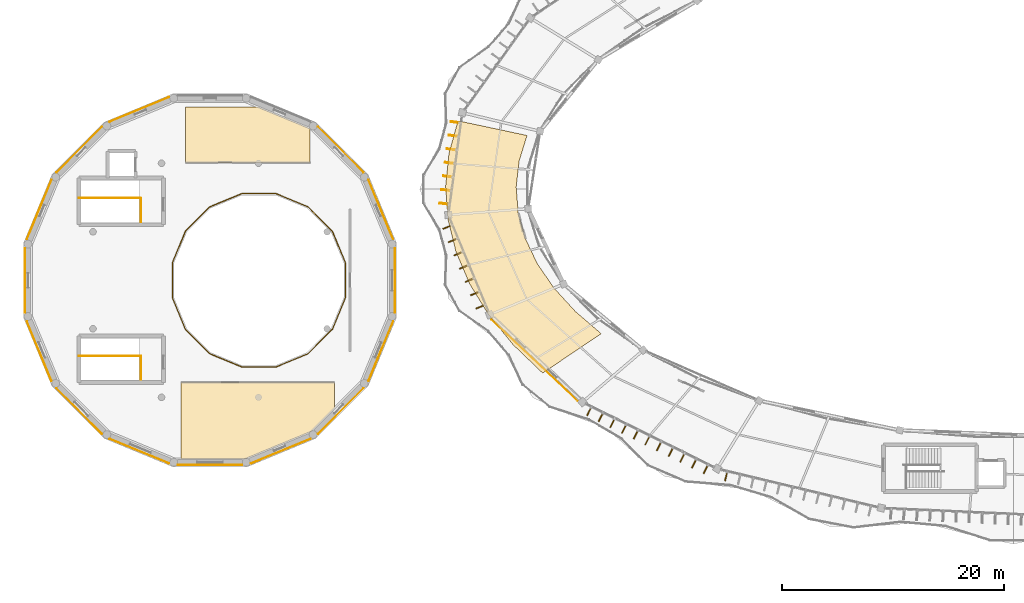
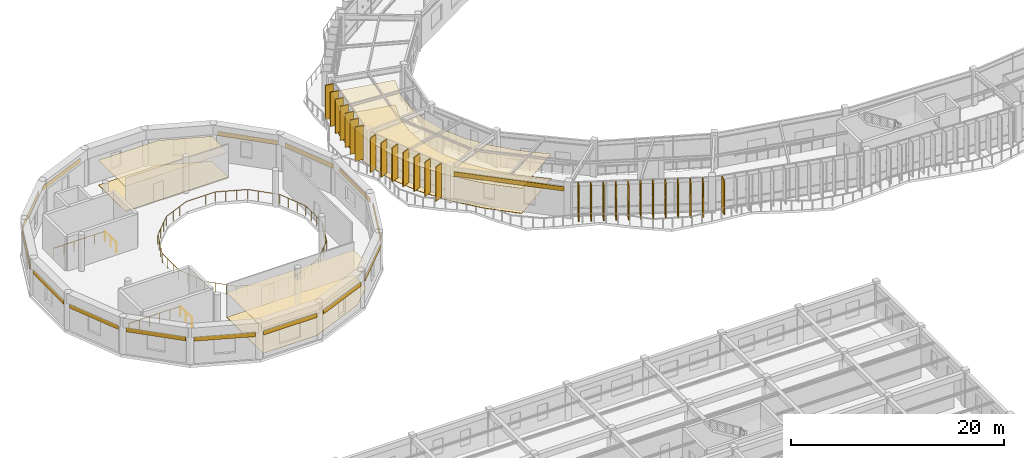
# One storey, part 108 of 114: 26 shading devices, 21 coverings, 5 railings.
"""IFC4 building model written with IfcOpenShell, lengths in metres."""

from ifc_helpers import new_model, si_unit, direction, frame, origin, origin_2d, place, context, subcontext, project, spatial, polyline, rectangle, circle, outline, extrude, material, layer, layer_set, type_object, element, save


model = new_model("IFC4")

# Units and contexts
model_context = context("Model", 3, precision=1e-05, world=origin(), true_north=direction((0.0, 1.0)))
body_context = subcontext(model_context, "Body", "Model", "MODEL_VIEW")
ifc_project = project(units=[si_unit("LENGTHUNIT", "METRE"), si_unit("AREAUNIT", "SQUARE_METRE"), si_unit("VOLUMEUNIT", "CUBIC_METRE"), si_unit("PLANEANGLEUNIT", "RADIAN"), si_unit("MASSUNIT", "GRAM", prefix="KILO"), si_unit("THERMODYNAMICTEMPERATUREUNIT", "KELVIN"), si_unit("POWERUNIT", "WATT")], contexts=[model_context])

# Site, building, storey
site_placement = place(None, origin())
site = spatial("IfcSite", under=ifc_project, at=site_placement, CompositionType="ELEMENT")
building_placement = place(site_placement, origin())
building = spatial("IfcBuilding", under=site, at=building_placement, Name="Darbajah Civic Hall", CompositionType="ELEMENT")
storey_placement = place(building_placement, frame((0.0, 0.0, 13.800048828125)))
storey = spatial("IfcBuildingStorey", under=building, at=storey_placement, Name="L03", CompositionType="ELEMENT", Elevation=13.800048828125)

# Coverings
ifc_material_1 = material(Name="Honed Qatari Limestone Terrazzo", Category="masonry")
ifc_layer_1 = layer(ifc_material_1, 0.030029296875, Name="Honed Qatari Limestone Terrazzo")
ifc_layer_set_1 = layer_set([ifc_layer_1], Name="Honed Qatari Limestone Terrazzo")
covering_type_1 = type_object("IfcCoveringType", Name="Honed Qatari Limestone Terrazzo Flooring", PredefinedType="FLOORING", material=ifc_layer_set_1)
covering_1_placement = place(storey_placement, origin())
element("IfcCovering", 1, at=covering_1_placement, inside=storey, type_object=covering_type_1, Name="L03 stone terrazzo flooring L03-V1-05", PredefinedType="FLOORING", context=body_context, shape_type="SweptSolid", body=[
    extrude(outline(polyline([(39.11669921875, 95.9541015625), (38.3037109375, 93.0224609375), (38.001953125, 90.058349609375), (38.21435546875, 87.091552734375), (38.93896484375, 84.152099609375), (40.168212890625, 81.269287109375), (41.889892578125, 78.47265625), (44.08642578125, 75.789794921875), (46.736083984375, 73.247802734375), (52.00048828125, 76.798828125), (49.68017578125, 78.79541015625), (47.75634765625, 80.902587890625), (46.248779296875, 83.099365234375), (45.172119140625, 85.36376953125), (44.53759765625, 87.672607421875), (44.351806640625, 90.0029296875), (44.615966796875, 92.331298828125), (45.327880859375, 94.6337890625), (39.11669921875, 95.9541015625)])), origin(), (0.0, 0.0, 1.0), 0.030029296875),
])
covering_2_placement = place(storey_placement, origin())
element("IfcCovering", 2, at=covering_2_placement, inside=storey, type_object=covering_type_1, Name="L03 stone terrazzo flooring L03-V2-02", PredefinedType="FLOORING", context=body_context, shape_type="SweptSolid", body=[
    extrude(outline(polyline([(14.60009765625, 97.199951171875), (21.10498046875, 97.199951171875), (25.800048828125, 95.25537109375), (25.800048828125, 92.199951171875), (14.60009765625, 92.199951171875), (14.60009765625, 97.199951171875)])), origin(), (0.0, 0.0, 1.0), 0.030029296875),
])
covering_3_placement = place(storey_placement, origin())
element("IfcCovering", 3, at=covering_3_placement, inside=storey, type_object=covering_type_1, Name="L03 stone terrazzo flooring L03-V2-03", PredefinedType="FLOORING", context=body_context, shape_type="SweptSolid", body=[
    extrude(outline(polyline([(14.199951171875, 72.39990234375), (28.0, 72.39990234375), (28.0, 70.087646484375), (25.897216796875, 67.985107421875), (19.994384765625, 65.5400390625), (14.199951171875, 65.5400390625), (14.199951171875, 72.39990234375)])), origin(), (0.0, 0.0, 1.0), 0.030029296875),
])

# Railings
ifc_material_2 = material(Name="Brushed Bronze and Laminated Safety Glass", Category="glass")
railing_type = type_object("IfcRailingType", Name="Interior Guard Balustrade", PredefinedType="BALUSTRADE", material=ifc_material_2)
railing_1_placement = place(storey_placement, frame((10.570068359375, 86.85009765625, 0.0)))
element("IfcRailing", 4, at=railing_1_placement, inside=storey, type_object=railing_type, Name="ST04 L03 stair-well edge guard", PredefinedType="BALUSTRADE", context=body_context, shape_type="SweptSolid", body=[
    extrude(circle(Radius=0.02392578125, at=origin_2d()), frame((0.0, 0.02734375, 1.09619140625), z_axis=(0.0, 1.0, 0.0), x_axis=(-1.0, 0.0, 0.0)), (0.0, 0.0, 1.0), 2.09521484375),
    extrude(circle(Radius=0.02099609375, at=origin_2d()), origin(), (0.0, 0.0, 1.0), 1.068115234375),
    extrude(circle(Radius=0.02099609375, at=origin_2d()), frame((0.0, 1.074951171875, 0.0)), (0.0, 0.0, 1.0), 1.068115234375),
    extrude(circle(Radius=0.02099609375, at=origin_2d()), frame((0.0, 2.14990234375, 0.0)), (0.0, 0.0, 1.0), 1.068115234375),
])
railing_2_placement = place(storey_placement, frame((10.52001953125, 89.0, 0.0)))
element("IfcRailing", 5, at=railing_2_placement, inside=storey, type_object=railing_type, Name="ST04 L03 top landing guard", PredefinedType="BALUSTRADE", context=body_context, shape_type="SweptSolid", body=[
    extrude(circle(Radius=0.02392578125, at=origin_2d()), frame((-0.02734375, 0.0, 1.09619140625), z_axis=(-1.0, 0.0, 0.0), x_axis=(0.0, -1.0, 0.0)), (0.0, 0.0, 1.0), 5.46533203125),
    extrude(circle(Radius=0.02099609375, at=origin_2d()), origin(), (0.0, 0.0, 1.0), 1.068115234375),
    extrude(circle(Radius=0.02099609375, at=origin_2d()), frame((-1.10400390625, 0.0, 0.0)), (0.0, 0.0, 1.0), 1.068115234375),
    extrude(circle(Radius=0.02099609375, at=origin_2d()), frame((-2.2080078125, 0.0, 0.0)), (0.0, 0.0, 1.0), 1.068115234375),
    extrude(circle(Radius=0.02099609375, at=origin_2d()), frame((-3.31201171875, 0.0, 0.0)), (0.0, 0.0, 1.0), 1.068115234375),
    extrude(circle(Radius=0.02099609375, at=origin_2d()), frame((-4.416015625, 0.0, 0.0)), (0.0, 0.0, 1.0), 1.068115234375),
    extrude(circle(Radius=0.02099609375, at=origin_2d()), frame((-5.52001953125, 0.0, 0.0)), (0.0, 0.0, 1.0), 1.068115234375),
])
railing_3_placement = place(storey_placement, frame((10.570068359375, 72.64990234375, 0.0)))
element("IfcRailing", 6, at=railing_3_placement, inside=storey, type_object=railing_type, Name="ST05 L03 stair-well edge guard", PredefinedType="BALUSTRADE", context=body_context, shape_type="SweptSolid", body=[
    extrude(circle(Radius=0.02392578125, at=origin_2d()), frame((0.0, 0.02734375, 1.09619140625), z_axis=(0.0, 1.0, 0.0), x_axis=(-1.0, 0.0, 0.0)), (0.0, 0.0, 1.0), 2.095458984375),
    extrude(circle(Radius=0.02099609375, at=origin_2d()), origin(), (0.0, 0.0, 1.0), 1.068115234375),
    extrude(circle(Radius=0.02099609375, at=origin_2d()), frame((0.0, 1.0751953125, 0.0)), (0.0, 0.0, 1.0), 1.068115234375),
    extrude(circle(Radius=0.02099609375, at=origin_2d()), frame((0.0, 2.150146484375, 0.0)), (0.0, 0.0, 1.0), 1.068115234375),
])
railing_4_placement = place(storey_placement, frame((10.52001953125, 74.800048828125, 0.0)))
element("IfcRailing", 7, at=railing_4_placement, inside=storey, type_object=railing_type, Name="ST05 L03 top landing guard", PredefinedType="BALUSTRADE", context=body_context, shape_type="SweptSolid", body=[
    extrude(circle(Radius=0.02392578125, at=origin_2d()), frame((-0.02734375, 0.0, 1.09619140625), z_axis=(-1.0, 0.0, 0.0), x_axis=(0.0, -1.0, 0.0)), (0.0, 0.0, 1.0), 5.46533203125),
    extrude(circle(Radius=0.02099609375, at=origin_2d()), origin(), (0.0, 0.0, 1.0), 1.068115234375),
    extrude(circle(Radius=0.02099609375, at=origin_2d()), frame((-1.10400390625, 0.0, 0.0)), (0.0, 0.0, 1.0), 1.068115234375),
    extrude(circle(Radius=0.02099609375, at=origin_2d()), frame((-2.2080078125, 0.0, 0.0)), (0.0, 0.0, 1.0), 1.068115234375),
    extrude(circle(Radius=0.02099609375, at=origin_2d()), frame((-3.31201171875, 0.0, 0.0)), (0.0, 0.0, 1.0), 1.068115234375),
    extrude(circle(Radius=0.02099609375, at=origin_2d()), frame((-4.416015625, 0.0, 0.0)), (0.0, 0.0, 1.0), 1.068115234375),
    extrude(circle(Radius=0.02099609375, at=origin_2d()), frame((-5.52001953125, 0.0, 0.0)), (0.0, 0.0, 1.0), 1.068115234375),
])
railing_5_placement = place(storey_placement, frame((28.997314453125, 83.15087890625, 0.0)))
element("IfcRailing", 8, at=railing_5_placement, inside=storey, type_object=railing_type, Name="L03 Council Chamber gallery balustrade", PredefinedType="BALUSTRADE", context=body_context, shape_type="SweptSolid", body=[
    extrude(circle(Radius=0.02392578125, at=origin_2d()), frame((-0.010498046875, 0.025146484375, 1.09619140625), z_axis=(-0.382653000374, 0.923892137267, 0.0), x_axis=(-0.923892137267, -0.382653000374, 0.0)), (0.0, 0.0, 1.0), 3.04736328125),
    extrude(circle(Radius=0.02392578125, at=origin_2d()), frame((-1.206298828125, 2.88525390625, 1.09619140625), z_axis=(-0.707146131574, 0.70706742861, 0.0), x_axis=(-0.70706742861, -0.707146131574, 0.0)), (0.0, 0.0, 1.0), 3.04736328125),
    extrude(circle(Radius=0.02392578125, at=origin_2d()), frame((-3.40576171875, 5.06982421875, 1.09619140625), z_axis=(-0.923880612086, 0.382680826032, 0.0), x_axis=(-0.382680826032, -0.923880612086, 0.0)), (0.0, 0.0, 1.0), 3.04736328125),
    extrude(circle(Radius=0.02392578125, at=origin_2d()), frame((-6.273681640625, 6.246337890625, 1.09619140625), z_axis=(-1.0, 0.0, 0.0), x_axis=(0.0, -1.0, 0.0)), (0.0, 0.0, 1.0), 3.04736328125),
    extrude(circle(Radius=0.02392578125, at=origin_2d()), frame((-9.37353515625, 6.23583984375, 1.09619140625), z_axis=(-0.923880612086, -0.382680826032, 0.0), x_axis=(0.382680826032, -0.923880612086, 0.0)), (0.0, 0.0, 1.0), 3.04736328125),
    extrude(circle(Radius=0.02392578125, at=origin_2d()), frame((-12.2333984375, 5.0400390625, 1.09619140625), z_axis=(-0.707106781187, -0.707106781187, 0.0), x_axis=(0.707106781187, -0.707106781187, 0.0)), (0.0, 0.0, 1.0), 3.04736328125),
    extrude(circle(Radius=0.02392578125, at=origin_2d()), frame((-14.41796875, 2.8408203125, 1.09619140625), z_axis=(-0.382653000374, -0.923892137267, 0.0), x_axis=(0.923892137267, -0.382653000374, 0.0)), (0.0, 0.0, 1.0), 3.04736328125),
    extrude(circle(Radius=0.02392578125, at=origin_2d()), frame((-15.594482421875, -0.02734375, 1.09619140625), z_axis=(0.0, -1.0, 0.0), x_axis=(1.0, 0.0, 0.0)), (0.0, 0.0, 1.0), 3.047119140625),
    extrude(circle(Radius=0.02392578125, at=origin_2d()), frame((-15.583984375, -3.126953125, 1.09619140625), z_axis=(0.382653000374, -0.923892137267, 0.0), x_axis=(0.923892137267, 0.382653000374, 0.0)), (0.0, 0.0, 1.0), 3.04736328125),
    extrude(circle(Radius=0.02392578125, at=origin_2d()), frame((-14.38818359375, -5.987060546875, 1.09619140625), z_axis=(0.707106781187, -0.707106781187, 0.0), x_axis=(0.707106781187, 0.707106781187, 0.0)), (0.0, 0.0, 1.0), 3.04736328125),
    extrude(circle(Radius=0.02392578125, at=origin_2d()), frame((-12.18896484375, -8.171630859375, 1.09619140625), z_axis=(0.923880612086, -0.382680826032, 0.0), x_axis=(0.382680826032, 0.923880612086, 0.0)), (0.0, 0.0, 1.0), 3.04736328125),
    extrude(circle(Radius=0.02392578125, at=origin_2d()), frame((-9.321044921875, -9.34814453125, 1.09619140625), z_axis=(1.0, 0.0, 0.0), x_axis=(0.0, 1.0, 0.0)), (0.0, 0.0, 1.0), 3.04736328125),
    extrude(circle(Radius=0.02392578125, at=origin_2d()), frame((-6.22119140625, -9.337646484375, 1.09619140625), z_axis=(0.923880612086, 0.382680826032, 0.0), x_axis=(-0.382680826032, 0.923880612086, 0.0)), (0.0, 0.0, 1.0), 3.04736328125),
    extrude(circle(Radius=0.02392578125, at=origin_2d()), frame((-3.361328125, -8.141845703125, 1.09619140625), z_axis=(0.707146131574, 0.70706742861, 0.0), x_axis=(-0.70706742861, 0.707146131574, 0.0)), (0.0, 0.0, 1.0), 3.04736328125),
    extrude(circle(Radius=0.02392578125, at=origin_2d()), frame((-1.176513671875, -5.942626953125, 1.09619140625), z_axis=(0.382653000374, 0.923892137267, 0.0), x_axis=(-0.923892137267, 0.382653000374, 0.0)), (0.0, 0.0, 1.0), 3.04736328125),
    extrude(circle(Radius=0.02392578125, at=origin_2d()), frame((0.0, -3.074462890625, 1.09619140625), z_axis=(0.0, 1.0, 0.0), x_axis=(-1.0, 0.0, 0.0)), (0.0, 0.0, 1.0), 3.047119140625),
    extrude(circle(Radius=0.02099609375, at=origin_2d()), origin(), (0.0, 0.0, 1.0), 1.068115234375),
    extrude(circle(Radius=0.02099609375, at=origin_2d()), frame((-0.395751953125, 0.955322265625, 0.0)), (0.0, 0.0, 1.0), 1.068115234375),
    extrude(circle(Radius=0.02099609375, at=origin_2d()), frame((-0.791259765625, 1.91064453125, 0.0)), (0.0, 0.0, 1.0), 1.068115234375),
    extrude(circle(Radius=0.02099609375, at=origin_2d()), frame((-1.18701171875, 2.865966796875, 0.0)), (0.0, 0.0, 1.0), 1.068115234375),
    extrude(circle(Radius=0.02099609375, at=origin_2d()), frame((-1.918212890625, 3.59716796875, 0.0)), (0.0, 0.0, 1.0), 1.068115234375),
    extrude(circle(Radius=0.02099609375, at=origin_2d()), frame((-2.6494140625, 4.328125, 0.0)), (0.0, 0.0, 1.0), 1.068115234375),
    extrude(circle(Radius=0.02099609375, at=origin_2d()), frame((-3.380615234375, 5.059326171875, 0.0)), (0.0, 0.0, 1.0), 1.068115234375),
    extrude(circle(Radius=0.02099609375, at=origin_2d()), frame((-4.3359375, 5.455078125, 0.0)), (0.0, 0.0, 1.0), 1.068115234375),
    extrude(circle(Radius=0.02099609375, at=origin_2d()), frame((-5.291015625, 5.8505859375, 0.0)), (0.0, 0.0, 1.0), 1.068115234375),
    extrude(circle(Radius=0.02099609375, at=origin_2d()), frame((-6.246337890625, 6.246337890625, 0.0)), (0.0, 0.0, 1.0), 1.068115234375),
    extrude(circle(Radius=0.02099609375, at=origin_2d()), frame((-7.2802734375, 6.246337890625, 0.0)), (0.0, 0.0, 1.0), 1.068115234375),
    extrude(circle(Radius=0.02099609375, at=origin_2d()), frame((-8.314453125, 6.246337890625, 0.0)), (0.0, 0.0, 1.0), 1.068115234375),
    extrude(circle(Radius=0.02099609375, at=origin_2d()), frame((-9.348388671875, 6.246337890625, 0.0)), (0.0, 0.0, 1.0), 1.068115234375),
    extrude(circle(Radius=0.02099609375, at=origin_2d()), frame((-10.3037109375, 5.8505859375, 0.0)), (0.0, 0.0, 1.0), 1.068115234375),
    extrude(circle(Radius=0.02099609375, at=origin_2d()), frame((-11.2587890625, 5.455078125, 0.0)), (0.0, 0.0, 1.0), 1.068115234375),
    extrude(circle(Radius=0.02099609375, at=origin_2d()), frame((-12.214111328125, 5.059326171875, 0.0)), (0.0, 0.0, 1.0), 1.068115234375),
    extrude(circle(Radius=0.02099609375, at=origin_2d()), frame((-12.9453125, 4.328125, 0.0)), (0.0, 0.0, 1.0), 1.068115234375),
    extrude(circle(Radius=0.02099609375, at=origin_2d()), frame((-13.67626953125, 3.59716796875, 0.0)), (0.0, 0.0, 1.0), 1.068115234375),
    extrude(circle(Radius=0.02099609375, at=origin_2d()), frame((-14.407470703125, 2.865966796875, 0.0)), (0.0, 0.0, 1.0), 1.068115234375),
    extrude(circle(Radius=0.02099609375, at=origin_2d()), frame((-14.80322265625, 1.91064453125, 0.0)), (0.0, 0.0, 1.0), 1.068115234375),
    extrude(circle(Radius=0.02099609375, at=origin_2d()), frame((-15.19873046875, 0.955322265625, 0.0)), (0.0, 0.0, 1.0), 1.068115234375),
    extrude(circle(Radius=0.02099609375, at=origin_2d()), frame((-15.594482421875, 0.0, 0.0)), (0.0, 0.0, 1.0), 1.068115234375),
    extrude(circle(Radius=0.02099609375, at=origin_2d()), frame((-15.594482421875, -1.033935546875, 0.0)), (0.0, 0.0, 1.0), 1.068115234375),
    extrude(circle(Radius=0.02099609375, at=origin_2d()), frame((-15.594482421875, -2.06787109375, 0.0)), (0.0, 0.0, 1.0), 1.068115234375),
    extrude(circle(Radius=0.02099609375, at=origin_2d()), frame((-15.594482421875, -3.101806640625, 0.0)), (0.0, 0.0, 1.0), 1.068115234375),
    extrude(circle(Radius=0.02099609375, at=origin_2d()), frame((-15.19873046875, -4.05712890625, 0.0)), (0.0, 0.0, 1.0), 1.068115234375),
    extrude(circle(Radius=0.02099609375, at=origin_2d()), frame((-14.80322265625, -5.012451171875, 0.0)), (0.0, 0.0, 1.0), 1.068115234375),
    extrude(circle(Radius=0.02099609375, at=origin_2d()), frame((-14.407470703125, -5.9677734375, 0.0)), (0.0, 0.0, 1.0), 1.068115234375),
    extrude(circle(Radius=0.02099609375, at=origin_2d()), frame((-13.67626953125, -6.698974609375, 0.0)), (0.0, 0.0, 1.0), 1.068115234375),
    extrude(circle(Radius=0.02099609375, at=origin_2d()), frame((-12.9453125, -7.429931640625, 0.0)), (0.0, 0.0, 1.0), 1.068115234375),
    extrude(circle(Radius=0.02099609375, at=origin_2d()), frame((-12.214111328125, -8.1611328125, 0.0)), (0.0, 0.0, 1.0), 1.068115234375),
    extrude(circle(Radius=0.02099609375, at=origin_2d()), frame((-11.2587890625, -8.556884765625, 0.0)), (0.0, 0.0, 1.0), 1.068115234375),
    extrude(circle(Radius=0.02099609375, at=origin_2d()), frame((-10.3037109375, -8.952392578125, 0.0)), (0.0, 0.0, 1.0), 1.068115234375),
    extrude(circle(Radius=0.02099609375, at=origin_2d()), frame((-9.348388671875, -9.34814453125, 0.0)), (0.0, 0.0, 1.0), 1.068115234375),
    extrude(circle(Radius=0.02099609375, at=origin_2d()), frame((-8.314453125, -9.34814453125, 0.0)), (0.0, 0.0, 1.0), 1.068115234375),
    extrude(circle(Radius=0.02099609375, at=origin_2d()), frame((-7.2802734375, -9.34814453125, 0.0)), (0.0, 0.0, 1.0), 1.068115234375),
    extrude(circle(Radius=0.02099609375, at=origin_2d()), frame((-6.246337890625, -9.34814453125, 0.0)), (0.0, 0.0, 1.0), 1.068115234375),
    extrude(circle(Radius=0.02099609375, at=origin_2d()), frame((-5.291015625, -8.952392578125, 0.0)), (0.0, 0.0, 1.0), 1.068115234375),
    extrude(circle(Radius=0.02099609375, at=origin_2d()), frame((-4.3359375, -8.556884765625, 0.0)), (0.0, 0.0, 1.0), 1.068115234375),
    extrude(circle(Radius=0.02099609375, at=origin_2d()), frame((-3.380615234375, -8.1611328125, 0.0)), (0.0, 0.0, 1.0), 1.068115234375),
    extrude(circle(Radius=0.02099609375, at=origin_2d()), frame((-2.6494140625, -7.429931640625, 0.0)), (0.0, 0.0, 1.0), 1.068115234375),
    extrude(circle(Radius=0.02099609375, at=origin_2d()), frame((-1.918212890625, -6.698974609375, 0.0)), (0.0, 0.0, 1.0), 1.068115234375),
    extrude(circle(Radius=0.02099609375, at=origin_2d()), frame((-1.18701171875, -5.9677734375, 0.0)), (0.0, 0.0, 1.0), 1.068115234375),
    extrude(circle(Radius=0.02099609375, at=origin_2d()), frame((-0.791259765625, -5.012451171875, 0.0)), (0.0, 0.0, 1.0), 1.068115234375),
    extrude(circle(Radius=0.02099609375, at=origin_2d()), frame((-0.395751953125, -4.05712890625, 0.0)), (0.0, 0.0, 1.0), 1.068115234375),
    extrude(circle(Radius=0.02099609375, at=origin_2d()), frame((0.0, -3.101806640625, 0.0)), (0.0, 0.0, 1.0), 1.068115234375),
    extrude(circle(Radius=0.02099609375, at=origin_2d()), frame((0.0, -2.06787109375, 0.0)), (0.0, 0.0, 1.0), 1.068115234375),
    extrude(circle(Radius=0.02099609375, at=origin_2d()), frame((0.0, -1.033935546875, 0.0)), (0.0, 0.0, 1.0), 1.068115234375),
])

# Coverings
ifc_material_3 = material(Name="Qatari Desert Limestone Ashlar", Category="masonry")
ifc_layer_2 = layer(ifc_material_3, 0.044921875, Name="Qatari Desert Limestone Ashlar")
ifc_layer_set_2 = layer_set([ifc_layer_2], Name="Qatari Desert Limestone Ashlar")
covering_type_2 = type_object("IfcCoveringType", Name="Limestone Facade Cladding", PredefinedType="CLADDING", material=ifc_layer_set_2)
covering_4_placement = place(storey_placement, frame((0.0, 0.0, 3.02001953125)))
element("IfcCovering", 9, at=covering_4_placement, inside=storey, type_object=covering_type_2, Name="L03 stone frieze cladding EW-V1O-L03-11", PredefinedType="CLADDING", context=body_context, shape_type="SweptSolid", body=[
    extrude(outline(polyline([(42.15185546875, 78.06201171875), (49.913330078125, 70.735595703125), (49.882568359375, 70.702880859375), (42.120849609375, 78.029296875), (42.15185546875, 78.06201171875)])), origin(), (0.0, 0.0, 1.0), 0.5),
])
covering_5_placement = place(storey_placement, frame((0.0, 0.0, 2.599853515625)))
element("IfcCovering", 10, at=covering_5_placement, inside=storey, type_object=covering_type_2, Name="L03 stone frieze cladding EW-V2-L03-00", PredefinedType="CLADDING", context=body_context, shape_type="SweptSolid", body=[
    extrude(outline(polyline([(33.26708984375, 85.275146484375), (31.042724609375, 90.64501953125), (31.084228515625, 90.662353515625), (33.30859375, 85.29248046875), (33.26708984375, 85.275146484375)])), origin(), (0.0, 0.0, 1.0), 0.5),
])
covering_6_placement = place(storey_placement, frame((0.0, 0.0, 2.599853515625)))
element("IfcCovering", 11, at=covering_6_placement, inside=storey, type_object=covering_type_2, Name="L03 stone frieze cladding EW-V2-L03-01", PredefinedType="CLADDING", context=body_context, shape_type="SweptSolid", body=[
    extrude(outline(polyline([(30.607177734375, 91.297119140625), (26.4970703125, 95.406982421875), (26.52880859375, 95.43896484375), (30.638916015625, 91.328857421875), (30.607177734375, 91.297119140625)])), origin(), (0.0, 0.0, 1.0), 0.5),
])
covering_7_placement = place(storey_placement, frame((0.0, 0.0, 2.599853515625)))
element("IfcCovering", 12, at=covering_7_placement, inside=storey, type_object=covering_type_2, Name="L03 stone frieze cladding EW-V2-L03-04", PredefinedType="CLADDING", context=body_context, shape_type="SweptSolid", body=[
    extrude(outline(polyline([(13.124755859375, 98.06689453125), (7.7548828125, 95.8427734375), (7.737548828125, 95.88427734375), (13.107421875, 98.108642578125), (13.124755859375, 98.06689453125)])), origin(), (0.0, 0.0, 1.0), 0.5),
])
covering_8_placement = place(storey_placement, frame((0.0, 0.0, 2.599853515625)))
element("IfcCovering", 13, at=covering_8_placement, inside=storey, type_object=covering_type_2, Name="L03 stone frieze cladding EW-V2-L03-05", PredefinedType="CLADDING", context=body_context, shape_type="SweptSolid", body=[
    extrude(outline(polyline([(7.102783203125, 95.406982421875), (2.992919921875, 91.297119140625), (2.961181640625, 91.328857421875), (7.071044921875, 95.43896484375), (7.102783203125, 95.406982421875)])), origin(), (0.0, 0.0, 1.0), 0.5),
])
covering_9_placement = place(storey_placement, frame((0.0, 0.0, 2.599853515625)))
element("IfcCovering", 14, at=covering_9_placement, inside=storey, type_object=covering_type_2, Name="L03 stone frieze cladding EW-V2-L03-06", PredefinedType="CLADDING", context=body_context, shape_type="SweptSolid", body=[
    extrude(outline(polyline([(2.557373046875, 90.64501953125), (0.3330078125, 85.275146484375), (0.29150390625, 85.29248046875), (2.515625, 90.662353515625), (2.557373046875, 90.64501953125)])), origin(), (0.0, 0.0, 1.0), 0.5),
])
covering_10_placement = place(storey_placement, frame((0.0, 0.0, 2.599853515625)))
element("IfcCovering", 15, at=covering_10_placement, inside=storey, type_object=covering_type_2, Name="L03 stone frieze cladding EW-V2-L03-07", PredefinedType="CLADDING", context=body_context, shape_type="SweptSolid", body=[
    extrude(outline(polyline([(0.179931640625, 84.506103515625), (0.179931640625, 78.69384765625), (0.135009765625, 78.69384765625), (0.135009765625, 84.506103515625), (0.179931640625, 84.506103515625)])), origin(), (0.0, 0.0, 1.0), 0.5),
])
covering_11_placement = place(storey_placement, frame((0.0, 0.0, 2.599853515625)))
element("IfcCovering", 16, at=covering_11_placement, inside=storey, type_object=covering_type_2, Name="L03 stone frieze cladding EW-V2-L03-08", PredefinedType="CLADDING", context=body_context, shape_type="SweptSolid", body=[
    extrude(outline(polyline([(0.3330078125, 77.9248046875), (2.557373046875, 72.554931640625), (2.515625, 72.53759765625), (0.29150390625, 77.907470703125), (0.3330078125, 77.9248046875)])), origin(), (0.0, 0.0, 1.0), 0.5),
])
covering_12_placement = place(storey_placement, frame((0.0, 0.0, 2.599853515625)))
element("IfcCovering", 17, at=covering_12_placement, inside=storey, type_object=covering_type_2, Name="L03 stone frieze cladding EW-V2-L03-09", PredefinedType="CLADDING", context=body_context, shape_type="SweptSolid", body=[
    extrude(outline(polyline([(2.992919921875, 71.90283203125), (7.102783203125, 67.79296875), (7.071044921875, 67.760986328125), (2.961181640625, 71.87109375), (2.992919921875, 71.90283203125)])), origin(), (0.0, 0.0, 1.0), 0.5),
])
covering_13_placement = place(storey_placement, frame((0.0, 0.0, 2.599853515625)))
element("IfcCovering", 18, at=covering_13_placement, inside=storey, type_object=covering_type_2, Name="L03 stone frieze cladding EW-V2-L03-10", PredefinedType="CLADDING", context=body_context, shape_type="SweptSolid", body=[
    extrude(outline(polyline([(7.7548828125, 67.357421875), (13.124755859375, 65.133056640625), (13.107421875, 65.09130859375), (7.737548828125, 67.315673828125), (7.7548828125, 67.357421875)])), origin(), (0.0, 0.0, 1.0), 0.5),
])
covering_14_placement = place(storey_placement, frame((0.0, 0.0, 2.599853515625)))
element("IfcCovering", 19, at=covering_14_placement, inside=storey, type_object=covering_type_2, Name="L03 stone frieze cladding EW-V2-L03-11", PredefinedType="CLADDING", context=body_context, shape_type="SweptSolid", body=[
    extrude(outline(polyline([(13.893798828125, 64.97998046875), (19.706298828125, 64.97998046875), (19.706298828125, 64.93505859375), (13.893798828125, 64.93505859375), (13.893798828125, 64.97998046875)])), origin(), (0.0, 0.0, 1.0), 0.5),
])
covering_15_placement = place(storey_placement, frame((0.0, 0.0, 2.599853515625)))
element("IfcCovering", 20, at=covering_15_placement, inside=storey, type_object=covering_type_2, Name="L03 stone frieze cladding EW-V2-L03-12", PredefinedType="CLADDING", context=body_context, shape_type="SweptSolid", body=[
    extrude(outline(polyline([(20.47509765625, 65.133056640625), (25.84521484375, 67.357421875), (25.8623046875, 67.315673828125), (20.492431640625, 65.09130859375), (20.47509765625, 65.133056640625)])), origin(), (0.0, 0.0, 1.0), 0.5),
])
covering_16_placement = place(storey_placement, frame((0.0, 0.0, 2.599853515625)))
element("IfcCovering", 21, at=covering_16_placement, inside=storey, type_object=covering_type_2, Name="L03 stone frieze cladding EW-V2-L03-13", PredefinedType="CLADDING", context=body_context, shape_type="SweptSolid", body=[
    extrude(outline(polyline([(26.4970703125, 67.79296875), (30.607177734375, 71.90283203125), (30.638916015625, 71.87109375), (26.52880859375, 67.760986328125), (26.4970703125, 67.79296875)])), origin(), (0.0, 0.0, 1.0), 0.5),
])
covering_17_placement = place(storey_placement, frame((0.0, 0.0, 2.599853515625)))
element("IfcCovering", 22, at=covering_17_placement, inside=storey, type_object=covering_type_2, Name="L03 stone frieze cladding EW-V2-L03-14", PredefinedType="CLADDING", context=body_context, shape_type="SweptSolid", body=[
    extrude(outline(polyline([(31.042724609375, 72.554931640625), (33.26708984375, 77.9248046875), (33.30859375, 77.907470703125), (31.084228515625, 72.53759765625), (31.042724609375, 72.554931640625)])), origin(), (0.0, 0.0, 1.0), 0.5),
])
covering_18_placement = place(storey_placement, frame((0.0, 0.0, 2.599853515625)))
element("IfcCovering", 23, at=covering_18_placement, inside=storey, type_object=covering_type_2, Name="L03 stone frieze cladding EW-V2-L03-15", PredefinedType="CLADDING", context=body_context, shape_type="SweptSolid", body=[
    extrude(outline(polyline([(33.419921875, 78.69384765625), (33.419921875, 84.506103515625), (33.465087890625, 84.506103515625), (33.465087890625, 78.69384765625), (33.419921875, 78.69384765625)])), origin(), (0.0, 0.0, 1.0), 0.5),
])
ifc_material_4 = material(Name="Perforated Acoustic Gypsum Board")
ifc_layer_3 = layer(ifc_material_4, 0.02490234375, Name="Perforated Acoustic Gypsum Board")
ifc_layer_set_3 = layer_set([ifc_layer_3], Name="Perforated Acoustic Gypsum Board")
covering_type_3 = type_object("IfcCoveringType", Name="Perforated Acoustic Gypsum Ceiling", PredefinedType="CEILING", material=ifc_layer_set_3)
covering_19_placement = place(storey_placement, frame((0.0, 0.0, 2.849853515625)))
element("IfcCovering", 24, at=covering_19_placement, inside=storey, type_object=covering_type_3, Name="L03 acoustic suspended ceiling L03-V1-05", PredefinedType="CEILING", context=body_context, shape_type="SweptSolid", body=[
    extrude(outline(polyline([(39.11669921875, 95.9541015625), (38.3037109375, 93.0224609375), (38.001953125, 90.058349609375), (38.21435546875, 87.091552734375), (38.93896484375, 84.152099609375), (40.168212890625, 81.269287109375), (41.889892578125, 78.47265625), (44.08642578125, 75.789794921875), (46.736083984375, 73.247802734375), (52.00048828125, 76.798828125), (49.68017578125, 78.79541015625), (47.75634765625, 80.902587890625), (46.248779296875, 83.099365234375), (45.172119140625, 85.36376953125), (44.53759765625, 87.672607421875), (44.351806640625, 90.0029296875), (44.615966796875, 92.331298828125), (45.327880859375, 94.6337890625), (39.11669921875, 95.9541015625)])), origin(), (0.0, 0.0, 1.0), 0.025146484375),
])
covering_20_placement = place(storey_placement, frame((0.0, 0.0, 2.849853515625)))
element("IfcCovering", 25, at=covering_20_placement, inside=storey, type_object=covering_type_3, Name="L03 acoustic suspended ceiling L03-V2-02", PredefinedType="CEILING", context=body_context, shape_type="SweptSolid", body=[
    extrude(outline(polyline([(14.60009765625, 97.199951171875), (21.10498046875, 97.199951171875), (25.800048828125, 95.25537109375), (25.800048828125, 92.199951171875), (14.60009765625, 92.199951171875), (14.60009765625, 97.199951171875)])), origin(), (0.0, 0.0, 1.0), 0.025146484375),
])
covering_21_placement = place(storey_placement, frame((0.0, 0.0, 2.849853515625)))
element("IfcCovering", 26, at=covering_21_placement, inside=storey, type_object=covering_type_3, Name="L03 acoustic suspended ceiling L03-V2-03", PredefinedType="CEILING", context=body_context, shape_type="SweptSolid", body=[
    extrude(outline(polyline([(14.199951171875, 72.39990234375), (28.0, 72.39990234375), (28.0, 70.087646484375), (25.897216796875, 67.985107421875), (19.994384765625, 65.5400390625), (14.199951171875, 65.5400390625), (14.199951171875, 72.39990234375)])), origin(), (0.0, 0.0, 1.0), 0.025146484375),
])

# Shading devices
ifc_material_5 = material(Name="Bronze Anodised Aluminium and Teak Composite", Category="aluminium")
shading_device_type = type_object("IfcShadingDeviceType", Name="Vertical Bronze Timber Shading Fin", PredefinedType="USERDEFINED", material=ifc_material_5)
for number, where, z_axis, x_axis, name in (
    (27, (38.87158203125, 95.821044921875, 0.0), (0.0, 0.0, 1.0), (-0.990865897387, 0.134850930274, 0.0), "L03 vertical shading fin VF-09-1"),
    (28, (38.705322265625, 94.59912109375, 0.0), (0.0, 0.0, 1.0), (-0.990865897387, 0.134850930274, 0.0), "L03 vertical shading fin VF-09-2"),
    (29, (38.5390625, 93.37744140625, 0.0), (0.0, 0.0, 1.0), (-0.990865897387, 0.134850930274, 0.0), "L03 vertical shading fin VF-09-3"),
    (30, (38.372802734375, 92.155517578125, 0.0), (0.0, 0.0, 1.0), (-0.990865897387, 0.134850930274, 0.0), "L03 vertical shading fin VF-09-4"),
    (31, (38.20654296875, 90.93359375, 0.0), (0.0, 0.0, 1.0), (-0.990865897387, 0.134850930274, 0.0), "L03 vertical shading fin VF-09-5"),
    (32, (38.040283203125, 89.711669921875, 0.0), (0.0, 0.0, 1.0), (-0.990865897387, 0.134850930274, 0.0), "L03 vertical shading fin VF-09-6"),
    (33, (37.8740234375, 88.489990234375, 0.0), (0.0, 0.0, 1.0), (-0.990865897387, 0.134850930274, 0.0), "L03 vertical shading fin VF-09-7"),
    (34, (38.155029296875, 86.38818359375, 0.0), (0.0, 0.0, 1.0), (-0.923612143954, -0.383328328644, 0.0), "L03 vertical shading fin VF-10-1"),
    (35, (38.6513671875, 85.1923828125, 0.0), (0.0, 0.0, 1.0), (-0.923612143954, -0.383328328644, 0.0), "L03 vertical shading fin VF-10-2"),
    (36, (39.147705078125, 83.99658203125, 0.0), (0.0, 0.0, 1.0), (-0.923612143954, -0.383328328644, 0.0), "L03 vertical shading fin VF-10-3"),
    (37, (39.64404296875, 82.80078125, 0.0), (0.0, 0.0, 1.0), (-0.923612143954, -0.383328328644, 0.0), "L03 vertical shading fin VF-10-4"),
    (38, (40.160400390625, 81.61328125, 0.0), (0.0, 0.0, 1.0), (-0.923612143954, -0.383328328644, 0.0), "L03 vertical shading fin VF-10-5"),
    (39, (40.63671875, 80.4091796875, 0.0), (0.0, 0.0, 1.0), (-0.923612143954, -0.383328328644, 0.0), "L03 vertical shading fin VF-10-6"),
    (40, (41.1328125, 79.21337890625, 0.0), (0.0, 0.0, 1.0), (-0.923612143954, -0.383328328644, 0.0), "L03 vertical shading fin VF-10-7"),
    (41, (50.919677734375, 69.79638671875, 0.0), (0.0, 0.0, 1.0), (-0.442914717678, -0.89656374724, 0.0), "L03 vertical shading fin VF-12-1"),
    (42, (51.958984375, 69.2568359375, 0.0), (0.0, 0.0, 1.0), (-0.442914717678, -0.89656374724, 0.0), "L03 vertical shading fin VF-12-2"),
    (43, (53.0087890625, 68.73828125, 0.0), (0.0, 0.0, 1.0), (-0.442914717678, -0.89656374724, 0.0), "L03 vertical shading fin VF-12-3"),
    (44, (54.058349609375, 68.2197265625, 0.0), (0.0, 0.0, 1.0), (-0.442914717678, -0.89656374724, 0.0), "L03 vertical shading fin VF-12-4"),
    (45, (55.108154296875, 67.701171875, 0.0), (0.0, 0.0, 1.0), (-0.442914717678, -0.89656374724, 0.0), "L03 vertical shading fin VF-12-5"),
    (46, (56.15771484375, 67.1826171875, 0.0), (0.0, 0.0, 1.0), (-0.442914717678, -0.89656374724, 0.0), "L03 vertical shading fin VF-12-6"),
    (47, (57.20751953125, 66.663818359375, 0.0), (0.0, 0.0, 1.0), (-0.442914717678, -0.89656374724, 0.0), "L03 vertical shading fin VF-12-7"),
    (48, (58.25732421875, 66.145263671875, 0.0), (0.0, 0.0, 1.0), (-0.442914717678, -0.89656374724, 0.0), "L03 vertical shading fin VF-12-8"),
    (49, (59.306884765625, 65.626708984375, 0.0), (0.0, 0.0, 1.0), (-0.442914717678, -0.89656374724, 0.0), "L03 vertical shading fin VF-12-9"),
    (50, (60.356689453125, 65.108154296875, 0.0), (0.0, 0.0, 1.0), (-0.442914717678, -0.89656374724, 0.0), "L03 vertical shading fin VF-12-10"),
    (51, (61.406494140625, 64.589599609375, 0.0), (0.0, 0.0, 1.0), (-0.442914717678, -0.89656374724, 0.0), "L03 vertical shading fin VF-12-11"),
    (52, (63.2431640625, 63.94970703125, 0.0), (0.0, 0.0, 1.0), (-0.232936200179, -0.972492018808, 0.0), "L03 vertical shading fin VF-13-1"),
):
    element("IfcShadingDevice", number, at=place(storey_placement, frame(where, z_axis=z_axis, x_axis=x_axis)), inside=storey, type_object=shading_device_type, Name=name, ObjectType="VERTICAL FIN", PredefinedType="USERDEFINED", context=body_context, shape_type="SweptSolid", body=[
        extrude(rectangle(XDim=0.85009765625, YDim=0.090087890625, at=origin_2d()), origin(), (0.0, 0.0, 1.0), 3.919921875),
    ])

save(model, "model.ifc")
